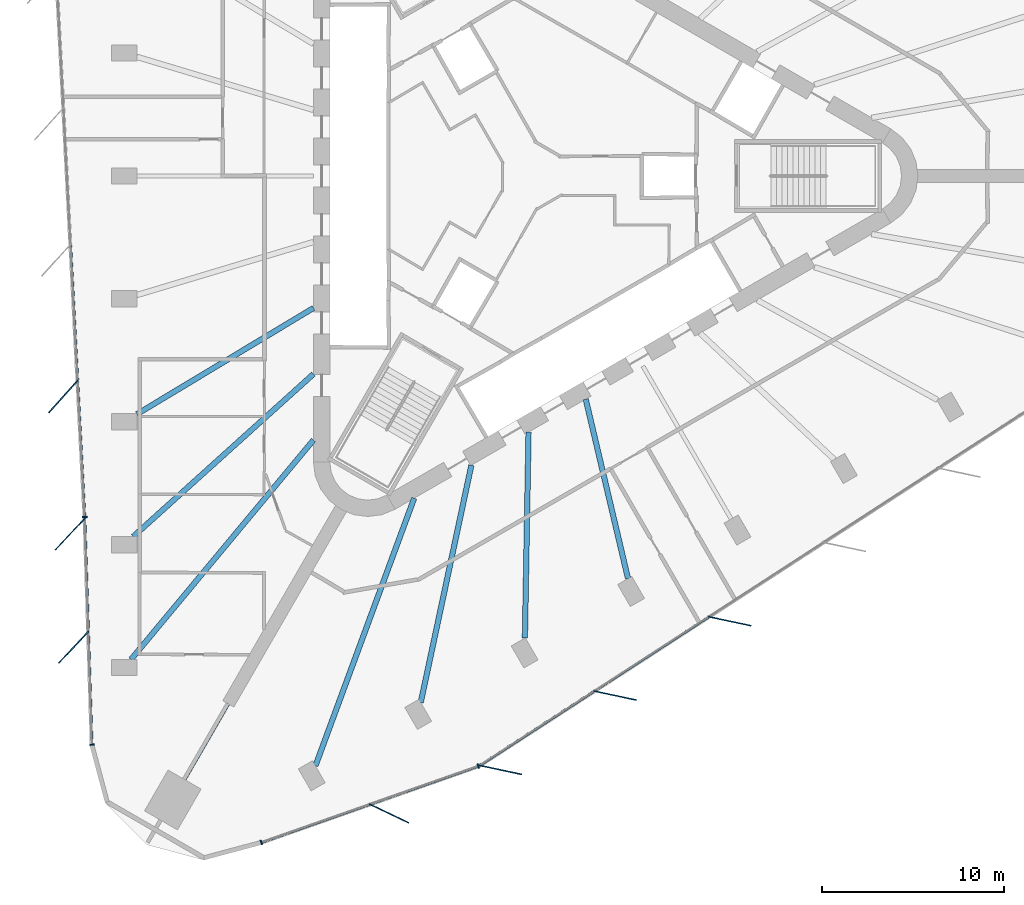
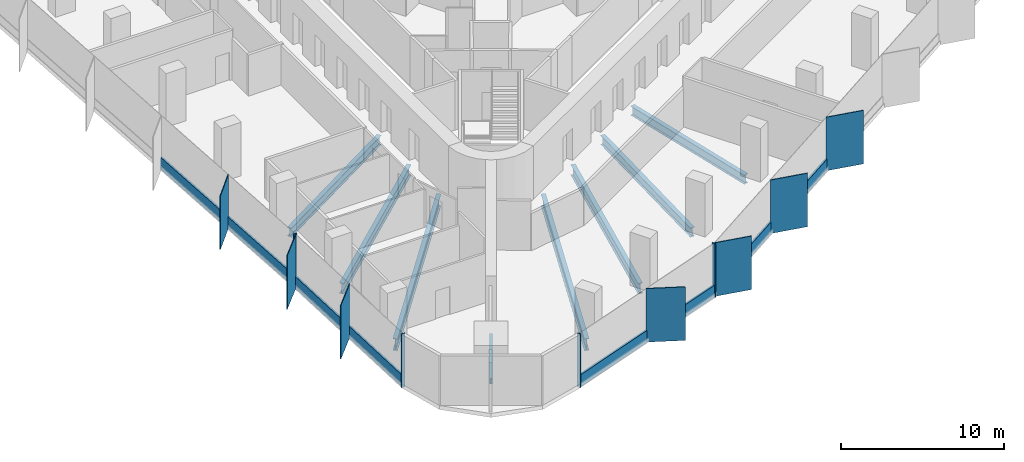
# One storey, part 2 of 13: 19 members, 8 beams, 4 elements without a shape of their own.
"""IFC4 building model written with IfcOpenShell, lengths in metres."""

from ifc_helpers import new_model, si_unit, direction, frame, origin, origin_2d, place, context, subcontext, project, spatial, rectangle, i_section, extrude, material, material_profile, profile_set, type_object, element, aggregate, save


model = new_model("IFC4")

# Units and contexts
model_context = context("Model", 3, precision=1e-05, world=origin(), true_north=direction((0.0, 1.0)))
body_context = subcontext(model_context, "Body", "Model", "MODEL_VIEW")
ifc_project = project(units=[si_unit("LENGTHUNIT", "METRE"), si_unit("AREAUNIT", "SQUARE_METRE"), si_unit("VOLUMEUNIT", "CUBIC_METRE"), si_unit("PLANEANGLEUNIT", "RADIAN"), si_unit("MASSUNIT", "GRAM", prefix="KILO")], contexts=[model_context])

# Site, building, storey
site_placement = place(None, origin())
site = spatial("IfcSite", under=ifc_project, at=site_placement, CompositionType="ELEMENT")
building_placement = place(site_placement, origin())
building = spatial("IfcBuilding", under=site, at=building_placement, Name="Tanit Gate Tower", CompositionType="ELEMENT")
storey_placement = place(building_placement, frame((0.0, 0.0, 173.199951171875)))
storey = spatial("IfcBuildingStorey", under=building, at=storey_placement, Name="L37", CompositionType="ELEMENT", Elevation=173.199951171875)

# Curtain wall, member
ifc_material_1 = material(Name="Aluminium bronze anodised and glass", Category="aluminium")
curtain_wall_type = type_object("IfcCurtainWallType", Name="Curtain wall typical mid", PredefinedType="NOTDEFINED", material=ifc_material_1)
curtain_wall_1_placement = place(storey_placement, origin())
curtain_wall_1 = element("IfcCurtainWall", 1, at=curtain_wall_1_placement, inside=storey, type_object=curtain_wall_type, Name="Curtain wall L37 W2", PredefinedType="NOTDEFINED")
ifc_material_2 = material(Name="Aluminium bronze anodised", Category="aluminium")
ifc_material_profile_1 = material_profile(ifc_material_2, rectangle(XDim=2.39990234375, YDim=0.055908203125, at=origin_2d()), Name="56x2400 bronze fin mullion")
ifc_profile_set_1 = profile_set([ifc_material_profile_1], Name="Aluminium bronze anodised")
member_type_1 = type_object("IfcMemberType", Name="FIN MULLION 56x2400 bronze", PredefinedType="MULLION", material=ifc_profile_set_1)
member_1_placement = place(storey_placement, frame((-25.882080078125, -12.150634765625, -0.300048828125), z_axis=(0.0, 0.0, 1.0), x_axis=(0.66948111798, 0.742829073656, 0.0)))
member_1 = element("IfcMember", 2, at=member_1_placement, type_object=member_type_1, Name="Fin mullion L37 W2.5", PredefinedType="MULLION", context=body_context, shape_type="SweptSolid", body=[
    extrude(rectangle(XDim=2.39990234375, YDim=0.055908203125, at=origin_2d()), origin(), (0.0, 0.0, 1.0), 4.0),
])

# Curtain wall, members
curtain_wall_2_placement = place(storey_placement, origin())
curtain_wall_2 = element("IfcCurtainWall", 3, at=curtain_wall_2_placement, inside=storey, type_object=curtain_wall_type, Name="Curtain wall L37 W3", PredefinedType="NOTDEFINED")
member_2_placement = place(storey_placement, frame((-25.505859375, -19.72998046875, -0.300048828125), z_axis=(0.0, 0.0, 1.0), x_axis=(0.684421819874, 0.729086258601, 0.0)))
member_2 = element("IfcMember", 4, at=member_2_placement, type_object=member_type_1, Name="Fin mullion L37 W3.1", PredefinedType="MULLION", context=body_context, shape_type="SweptSolid", body=[
    extrude(rectangle(XDim=2.39990234375, YDim=0.055908203125, at=origin_2d()), origin(), (0.0, 0.0, 1.0), 4.0),
])
member_3_placement = place(storey_placement, frame((-25.30908203125, -25.962158203125, -0.300048828125), z_axis=(0.0, 0.0, 1.0), x_axis=(0.684421819874, 0.729086258601, 0.0)))
member_3 = element("IfcMember", 5, at=member_3_placement, type_object=member_type_1, Name="Fin mullion L37 W3.2", PredefinedType="MULLION", context=body_context, shape_type="SweptSolid", body=[
    extrude(rectangle(XDim=2.39990234375, YDim=0.055908203125, at=origin_2d()), origin(), (0.0, 0.0, 1.0), 4.0),
])

# Curtain wall, member
curtain_wall_3_placement = place(storey_placement, origin())
curtain_wall_3 = element("IfcCurtainWall", 6, at=curtain_wall_3_placement, inside=storey, type_object=curtain_wall_type, Name="Curtain wall L37 SE1", PredefinedType="NOTDEFINED")
member_4_placement = place(storey_placement, frame((-7.930908203125, -35.12548828125, -0.300048828125), z_axis=(0.0, 0.0, 1.0), x_axis=(-0.901724971875, 0.432310160762, 0.0)))
member_4 = element("IfcMember", 7, at=member_4_placement, type_object=member_type_1, Name="Fin mullion L37 SE1.2", PredefinedType="MULLION", context=body_context, shape_type="SweptSolid", body=[
    extrude(rectangle(XDim=2.39990234375, YDim=0.055908203125, at=origin_2d()), origin(), (0.0, 0.0, 1.0), 4.0),
])

# Curtain wall, members
curtain_wall_4_placement = place(storey_placement, origin())
curtain_wall_4 = element("IfcCurtainWall", 8, at=curtain_wall_4_placement, inside=storey, type_object=curtain_wall_type, Name="Curtain wall L37 SE2", PredefinedType="NOTDEFINED")
member_5_placement = place(storey_placement, frame((-1.79052734375, -32.72265625, -0.300048828125), z_axis=(0.0, 0.0, 1.0), x_axis=(-0.978049407445, 0.208373118697, 0.0)))
member_5 = element("IfcMember", 9, at=member_5_placement, type_object=member_type_1, Name="Fin mullion L37 SE2.1", PredefinedType="MULLION", context=body_context, shape_type="SweptSolid", body=[
    extrude(rectangle(XDim=2.39990234375, YDim=0.055908203125, at=origin_2d()), origin(), (0.0, 0.0, 1.0), 4.0),
])
member_6_placement = place(storey_placement, frame((4.52294921875, -28.626708984375, -0.300048828125), z_axis=(0.0, 0.0, 1.0), x_axis=(-0.978049407445, 0.208373118697, 0.0)))
member_6 = element("IfcMember", 10, at=member_6_placement, type_object=member_type_1, Name="Fin mullion L37 SE2.2", PredefinedType="MULLION", context=body_context, shape_type="SweptSolid", body=[
    extrude(rectangle(XDim=2.39990234375, YDim=0.055908203125, at=origin_2d()), origin(), (0.0, 0.0, 1.0), 4.0),
])
member_7_placement = place(storey_placement, frame((10.836669921875, -24.53076171875, -0.300048828125), z_axis=(0.0, 0.0, 1.0), x_axis=(-0.978049407445, 0.208373118697, 0.0)))
member_7 = element("IfcMember", 11, at=member_7_placement, type_object=member_type_1, Name="Fin mullion L37 SE2.3", PredefinedType="MULLION", context=body_context, shape_type="SweptSolid", body=[
    extrude(rectangle(XDim=2.39990234375, YDim=0.055908203125, at=origin_2d()), origin(), (0.0, 0.0, 1.0), 4.0),
])

# Member
ifc_material_3 = material(Name="Aluminium bronze anodised", Category="aluminium")
ifc_material_profile_2 = material_profile(ifc_material_3, rectangle(XDim=0.260009765625, YDim=0.080078125, at=origin_2d()), Name="80x260 bronze mullion")
ifc_profile_set_2 = profile_set([ifc_material_profile_2], Name="Aluminium bronze anodised")
member_type_2 = type_object("IfcMemberType", Name="Mullion 80x260 typical mid", PredefinedType="MULLION", material=ifc_profile_set_2)
member_8_placement = place(storey_placement, frame((-24.70263671875, -18.79052734375, -0.300048828125), z_axis=(0.0, 0.0, 1.0), x_axis=(0.998654113645, 0.051864836844, 0.0)))
member_8 = element("IfcMember", 12, at=member_8_placement, type_object=member_type_2, Name="Mullion L37 W2.6", PredefinedType="MULLION", context=body_context, shape_type="SweptSolid", body=[
    extrude(rectangle(XDim=0.260009765625, YDim=0.080078125, at=origin_2d()), origin(), (0.0, 0.0, 1.0), 4.0),
])

member_9_placement = place(storey_placement, frame((-24.305419921875, -31.3349609375, -0.300048828125), z_axis=(0.0, 0.0, 1.0), x_axis=(0.999501147551, 0.031582527502, 0.0)))
member_9 = element("IfcMember", 13, at=member_9_placement, type_object=member_type_2, Name="Mullion L37 W3.3", PredefinedType="MULLION", context=body_context, shape_type="SweptSolid", body=[
    extrude(rectangle(XDim=0.260009765625, YDim=0.080078125, at=origin_2d()), origin(), (0.0, 0.0, 1.0), 4.0),
])

member_10_placement = place(storey_placement, frame((-14.97265625, -36.7197265625, -0.300048828125), z_axis=(0.0, 0.0, 1.0), x_axis=(-0.331926396127, 0.943305288628, 0.0)))
member_10 = element("IfcMember", 14, at=member_10_placement, type_object=member_type_2, Name="Mullion L37 SE1.1", PredefinedType="MULLION", context=body_context, shape_type="SweptSolid", body=[
    extrude(rectangle(XDim=0.260009765625, YDim=0.080078125, at=origin_2d()), origin(), (0.0, 0.0, 1.0), 4.0),
])

member_11_placement = place(storey_placement, frame((-3.0146484375, -32.511962890625, -0.300048828125), z_axis=(0.0, 0.0, 1.0), x_axis=(-0.331926396127, 0.943305288628, 0.0)))
member_11 = element("IfcMember", 15, at=member_11_placement, type_object=member_type_2, Name="Mullion L37 SE1.3", PredefinedType="MULLION", context=body_context, shape_type="SweptSolid", body=[
    extrude(rectangle(XDim=0.260009765625, YDim=0.080078125, at=origin_2d()), origin(), (0.0, 0.0, 1.0), 4.0),
])

# Beams
ifc_material_4 = material(Name="Steel S355", Category="steel")
ifc_material_profile_3 = material_profile(ifc_material_4, i_section(OverallWidth=0.300048828125, OverallDepth=0.68994140625, WebThickness=0.014404296875, FlangeThickness=0.027099609375, FilletRadius=0.027099609375, at=origin_2d()), Name="HEA 700")
ifc_profile_set_3 = profile_set([ifc_material_profile_3], Name="Steel S355")
beam_type_1 = type_object("IfcBeamType", Name="RADIAL GIRDER HEA 700 S355", PredefinedType="BEAM", material=ifc_profile_set_3)
for number, where, z_axis, x_axis, name in (
    (16, (-21.823486328125, -13.12109375, -0.64501953125), (0.857021594062, 0.51528049382, 0.0), (-0.51528049382, 0.857021594062, 0.0), "RADIAL GIRDER"),
    (17, (-0.451416015625, -25.460205078125, -0.64501953125), (0.017734805859, 0.999842725963, 0.0), (-0.999842725963, 0.017734805859, 0.0), "RADIAL GIRDER"),
):
    element("IfcBeam", number, at=place(storey_placement, frame(where, z_axis=z_axis, x_axis=x_axis)), inside=storey, type_object=beam_type_1, Name=name, PredefinedType="BEAM", context=body_context, shape_type="SweptSolid", body=[
        extrude(i_section(OverallWidth=0.300048828125, OverallDepth=0.68994140625, WebThickness=0.014404296875, FlangeThickness=0.027099609375, FilletRadius=0.027099609375, at=origin_2d()), origin(), (0.0, 0.0, 1.0), 11.34326171875),
    ])
beam_1_placement = place(storey_placement, frame((5.22998046875, -22.18017578125, -0.64501953125), z_axis=(-0.22948703754, 0.973311717592, 0.0), x_axis=(-0.973311717592, -0.22948703754, 0.0)))
element("IfcBeam", 18, at=beam_1_placement, inside=storey, type_object=beam_type_1, Name="RADIAL GIRDER", PredefinedType="BEAM", context=body_context, shape_type="SweptSolid", body=[
    extrude(i_section(OverallWidth=0.300048828125, OverallDepth=0.68994140625, WebThickness=0.014404296875, FlangeThickness=0.027099609375, FilletRadius=0.027099609375, at=origin_2d()), origin(), (0.0, 0.0, 1.0), 10.1513671875),
])
ifc_material_5 = material(Name="Steel S355", Category="steel")
ifc_material_profile_4 = material_profile(ifc_material_5, i_section(OverallWidth=0.300048828125, OverallDepth=0.7900390625, WebThickness=0.014892578125, FlangeThickness=0.028076171875, FilletRadius=0.030029296875, at=origin_2d()), Name="HEA 800")
ifc_profile_set_4 = profile_set([ifc_material_profile_4], Name="Steel S355")
beam_type_2 = type_object("IfcBeamType", Name="RADIAL GIRDER HEA 800 S355", PredefinedType="BEAM", material=ifc_profile_set_4)
beam_2_placement = place(storey_placement, frame((-22.024658203125, -19.86279296875, -0.695068359375), z_axis=(0.742618722564, 0.669714441309, 0.0), x_axis=(-0.669714441309, 0.742618722564, 0.0)))
element("IfcBeam", 19, at=beam_2_placement, inside=storey, type_object=beam_type_2, Name="RADIAL GIRDER", PredefinedType="BEAM", context=body_context, shape_type="SweptSolid", body=[
    extrude(i_section(OverallWidth=0.300048828125, OverallDepth=0.7900390625, WebThickness=0.014892578125, FlangeThickness=0.028076171875, FilletRadius=0.030029296875, at=origin_2d()), origin(), (0.0, 0.0, 1.0), 13.361572265625),
])
beam_3_placement = place(storey_placement, frame((-6.189453125, -29.00537109375, -0.695068359375), z_axis=(0.208696725108, 0.977980407232, 0.0), x_axis=(-0.977980407232, 0.208696725108, 0.0)))
element("IfcBeam", 20, at=beam_3_placement, inside=storey, type_object=beam_type_2, Name="RADIAL GIRDER", PredefinedType="BEAM", context=body_context, shape_type="SweptSolid", body=[
    extrude(i_section(OverallWidth=0.300048828125, OverallDepth=0.7900390625, WebThickness=0.014892578125, FlangeThickness=0.028076171875, FilletRadius=0.030029296875, at=origin_2d()), origin(), (0.0, 0.0, 1.0), 13.36181640625),
])
ifc_material_6 = material(Name="Steel S355", Category="steel")
ifc_material_profile_5 = material_profile(ifc_material_6, i_section(OverallWidth=0.300048828125, OverallDepth=0.889892578125, WebThickness=0.01611328125, FlangeThickness=0.030029296875, FilletRadius=0.030029296875, at=origin_2d()), Name="HEA 900")
ifc_profile_set_5 = profile_set([ifc_material_profile_5], Name="Steel S355")
beam_type_3 = type_object("IfcBeamType", Name="RADIAL GIRDER HEA 900 S355", PredefinedType="BEAM", material=ifc_profile_set_5)
for number, where, z_axis, x_axis, name in (
    (21, (-22.1494140625, -26.6337890625, -0.744873046875), (0.639410789887, 0.768865294949, 0.0), (-0.768865294949, 0.639410789887, 0.0), "RADIAL GIRDER"),
    (22, (-11.990966796875, -32.498779296875, -0.744873046875), (0.346151727989, 0.93817854442, 0.0), (-0.93817854442, 0.346151727989, 0.0), "RADIAL GIRDER"),
):
    element("IfcBeam", number, at=place(storey_placement, frame(where, z_axis=z_axis, x_axis=x_axis)), inside=storey, type_object=beam_type_3, Name=name, PredefinedType="BEAM", context=body_context, shape_type="SweptSolid", body=[
        extrude(i_section(OverallWidth=0.300048828125, OverallDepth=0.889892578125, WebThickness=0.01611328125, FlangeThickness=0.030029296875, FilletRadius=0.030029296875, at=origin_2d()), origin(), (0.0, 0.0, 1.0), 15.71337890625),
    ])
ifc_material_7 = material(Name="Steel S355", Category="steel")
ifc_material_profile_6 = material_profile(ifc_material_7, i_section(OverallWidth=0.179931640625, OverallDepth=0.39990234375, WebThickness=0.008544921875, FlangeThickness=0.013427734375, FilletRadius=0.02099609375, at=origin_2d()), Name="IPE 400")
ifc_profile_set_6 = profile_set([ifc_material_profile_6], Name="Steel S355")
beam_type_4 = type_object("IfcBeamType", Name="RADIAL GIRDER IPE 400 S355", PredefinedType="BEAM", material=ifc_profile_set_6)
beam_4_placement = place(storey_placement, frame((-19.198974609375, -33.253662109375, -0.5), z_axis=(0.500010649093, 0.866019255441, 0.0), x_axis=(-0.866019255441, 0.500010649093, 0.0)))
element("IfcBeam", 23, at=beam_4_placement, inside=storey, type_object=beam_type_4, Name="RADIAL GIRDER", PredefinedType="BEAM", context=body_context, shape_type="SweptSolid", body=[
    extrude(i_section(OverallWidth=0.179931640625, OverallDepth=0.39990234375, WebThickness=0.008544921875, FlangeThickness=0.013427734375, FilletRadius=0.02099609375, at=origin_2d()), origin(), (0.0, 0.0, 1.0), 4.8154296875),
])

# Member
ifc_material_8 = material(Name="Aluminium bronze anodised", Category="aluminium")
ifc_material_profile_7 = material_profile(ifc_material_8, rectangle(XDim=0.139892578125, YDim=0.89990234375, at=origin_2d()), Name="140x900 bronze transom")
ifc_profile_set_7 = profile_set([ifc_material_profile_7], Name="Aluminium bronze anodised")
member_type_3 = type_object("IfcMemberType", Name="Transom 140x900 typical mid", PredefinedType="USERDEFINED", material=ifc_profile_set_7)
member_12_placement = place(storey_placement, frame((-25.481201171875, -3.79931640625, 0.150146484375), z_axis=(0.051872154399, -0.998653733582, 0.0), x_axis=(0.998653733582, 0.051872154399, 0.0)))
member_12 = element("IfcMember", 24, at=member_12_placement, type_object=member_type_3, Name="Transom L37 W2.4", ObjectType="TRANSOM", PredefinedType="USERDEFINED", context=body_context, shape_type="SweptSolid", body=[
    extrude(rectangle(XDim=0.139892578125, YDim=0.89990234375, at=origin_2d()), origin(), (0.0, 0.0, 1.0), 7.44580078125),
])

member_13_placement = place(storey_placement, frame((-25.0908203125, -11.31494140625, 0.150146484375), z_axis=(0.051872154399, -0.998653733582, 0.0), x_axis=(0.998653733582, 0.051872154399, 0.0)))
member_13 = element("IfcMember", 25, at=member_13_placement, type_object=member_type_3, Name="Transom L37 W2.5", ObjectType="TRANSOM", PredefinedType="USERDEFINED", context=body_context, shape_type="SweptSolid", body=[
    extrude(rectangle(XDim=0.139892578125, YDim=0.89990234375, at=origin_2d()), origin(), (0.0, 0.0, 1.0), 7.44580078125),
])

aggregate(curtain_wall_1, [member_1, member_8, member_12, member_13])

member_14_placement = place(storey_placement, frame((-24.697998046875, -18.910400390625, 0.150146484375), z_axis=(0.031611178283, -0.999500241825, 0.0), x_axis=(0.999500241825, 0.031611178283, 0.0)))
member_14 = element("IfcMember", 26, at=member_14_placement, type_object=member_type_3, Name="Transom L37 W3.1", ObjectType="TRANSOM", PredefinedType="USERDEFINED", context=body_context, shape_type="SweptSolid", body=[
    extrude(rectangle(XDim=0.139892578125, YDim=0.89990234375, at=origin_2d()), origin(), (0.0, 0.0, 1.0), 6.155517578125),
])

member_15_placement = place(storey_placement, frame((-24.5009765625, -25.142578125, 0.150146484375), z_axis=(0.031571555134, -0.999501494199, 0.0), x_axis=(0.999501494199, 0.031571555134, 0.0)))
member_15 = element("IfcMember", 27, at=member_15_placement, type_object=member_type_3, Name="Transom L37 W3.2", ObjectType="TRANSOM", PredefinedType="USERDEFINED", context=body_context, shape_type="SweptSolid", body=[
    extrude(rectangle(XDim=0.139892578125, YDim=0.89990234375, at=origin_2d()), origin(), (0.0, 0.0, 1.0), 6.155517578125),
])

aggregate(curtain_wall_2, [member_2, member_3, member_9, member_14, member_15])

member_16_placement = place(storey_placement, frame((-14.93505859375, -36.70654296875, 0.150146484375), z_axis=(0.94330175991, 0.331936424262, 0.0), x_axis=(-0.331936424262, 0.94330175991, 0.0)))
member_16 = element("IfcMember", 28, at=member_16_placement, type_object=member_type_3, Name="Transom L37 SE1.1", ObjectType="TRANSOM", PredefinedType="USERDEFINED", context=body_context, shape_type="SweptSolid", body=[
    extrude(rectangle(XDim=0.139892578125, YDim=0.89990234375, at=origin_2d()), origin(), (0.0, 0.0, 1.0), 6.25830078125),
])

member_17_placement = place(storey_placement, frame((-8.9560546875, -34.6025390625, 0.150146484375), z_axis=(0.94330175991, 0.331936424262, 0.0), x_axis=(-0.331936424262, 0.94330175991, 0.0)))
member_17 = element("IfcMember", 29, at=member_17_placement, type_object=member_type_3, Name="Transom L37 SE1.2", ObjectType="TRANSOM", PredefinedType="USERDEFINED", context=body_context, shape_type="SweptSolid", body=[
    extrude(rectangle(XDim=0.139892578125, YDim=0.89990234375, at=origin_2d()), origin(), (0.0, 0.0, 1.0), 6.25830078125),
])

aggregate(curtain_wall_3, [member_10, member_4, member_11, member_16, member_17])

member_18_placement = place(storey_placement, frame((-2.909912109375, -32.455078125, 0.150146484375), z_axis=(0.838936201381, 0.544229776852, 0.0), x_axis=(-0.544229776852, 0.838936201381, 0.0)))
member_18 = element("IfcMember", 30, at=member_18_placement, type_object=member_type_3, Name="Transom L37 SE2.1", ObjectType="TRANSOM", PredefinedType="USERDEFINED", context=body_context, shape_type="SweptSolid", body=[
    extrude(rectangle(XDim=0.139892578125, YDim=0.89990234375, at=origin_2d()), origin(), (0.0, 0.0, 1.0), 7.44580078125),
])

member_19_placement = place(storey_placement, frame((3.40380859375, -28.359375, 0.150146484375), z_axis=(0.838926489373, 0.544244747727, 0.0), x_axis=(-0.544244747727, 0.838926489373, 0.0)))
member_19 = element("IfcMember", 31, at=member_19_placement, type_object=member_type_3, Name="Transom L37 SE2.2", ObjectType="TRANSOM", PredefinedType="USERDEFINED", context=body_context, shape_type="SweptSolid", body=[
    extrude(rectangle(XDim=0.139892578125, YDim=0.89990234375, at=origin_2d()), origin(), (0.0, 0.0, 1.0), 7.445556640625),
])

aggregate(curtain_wall_4, [member_5, member_6, member_7, member_18, member_19])

save(model, "model.ifc")
